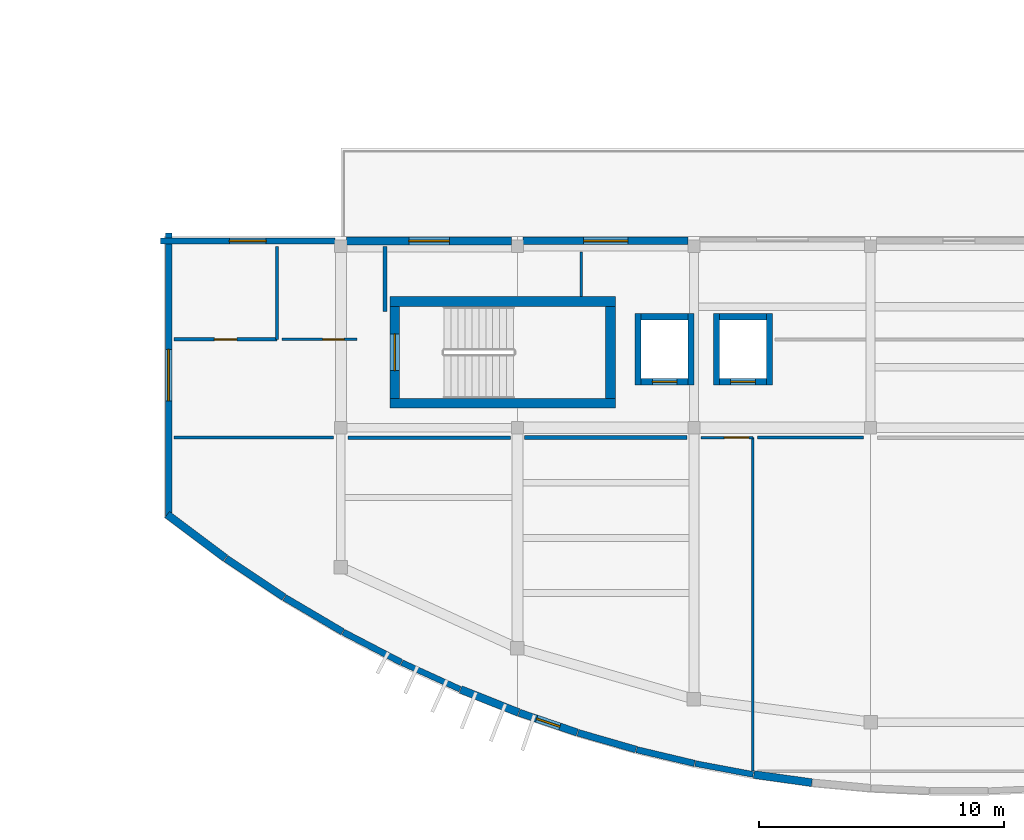
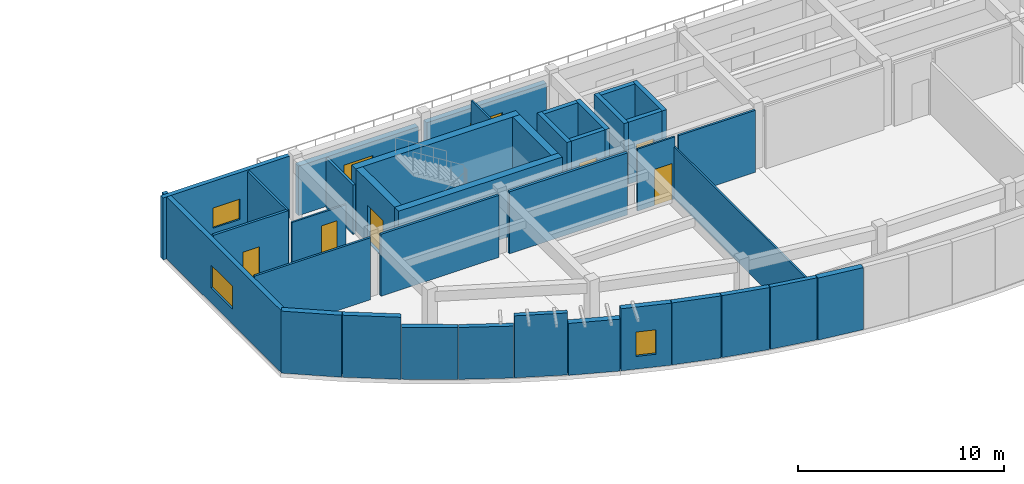
# One storey, part 4 of 11: 38 walls, 6 doors, 5 windows, 11 openings.
"""IFC4 building model written with IfcOpenShell, lengths in metres."""

from ifc_helpers import new_model, si_unit, direction, frame, frame_2d, origin, place, context, subcontext, project, spatial, rectangle, extrude, material, layer, layer_set, type_object, element, fill, save


model = new_model("IFC4")

# Units and contexts
model_context = context("Model", 3, precision=1e-05, world=origin(), true_north=direction((0.0, 1.0)))
body_context = subcontext(model_context, "Body", "Model", "MODEL_VIEW")
ifc_project = project(units=[si_unit("LENGTHUNIT", "METRE"), si_unit("AREAUNIT", "SQUARE_METRE"), si_unit("VOLUMEUNIT", "CUBIC_METRE"), si_unit("PLANEANGLEUNIT", "RADIAN"), si_unit("MASSUNIT", "GRAM", prefix="KILO")], contexts=[model_context])

# Site, building, storey
site_placement = place(None, origin())
site = spatial("IfcSite", under=ifc_project, at=site_placement, CompositionType="ELEMENT")
building_placement = place(site_placement, origin())
building = spatial("IfcBuilding", under=site, at=building_placement, Name="Brisavento Harbour Community Centre", CompositionType="ELEMENT")
storey_placement = place(building_placement, frame((0.0, 0.0, 16.800048828125)))
storey = spatial("IfcBuildingStorey", under=building, at=storey_placement, Name="L04", CompositionType="ELEMENT", Elevation=16.800048828125)

# Walls
ifc_material_1 = material(Name="Concrete C40/50", Category="concrete")
ifc_layer_1 = layer(ifc_material_1, 0.39990234375, Name="Concrete C40/50")
ifc_layer_set_1 = layer_set([ifc_layer_1], Name="Concrete C40/50")
wall_type_1 = type_object("IfcWallType", Name="WL-CORE-400", PredefinedType="SHEAR", material=ifc_layer_set_1)
for number, where, z_axis, x_axis, name in (
    (1, (117.199951171875, 16.0, 0.0), (0.0, 0.0, 1.0), (1.0, 0.0, 0.0), "L04 core C3A shear wall L"),
    (2, (126.39990234375, 20.14990234375, 0.0), (0.0, 0.0, 1.0), (-1.0, 0.0, 0.0), "L04 core C3A shear wall R"),
):
    element("IfcWall", number, at=place(storey_placement, frame(where, z_axis=z_axis, x_axis=x_axis)), inside=storey, type_object=wall_type_1, Name=name, PredefinedType="SHEAR", context=body_context, shape_type="SweptSolid", body=[
        extrude(rectangle(XDim=9.199951171875, YDim=0.39990234375, at=frame_2d((4.60009765625, 0.0))), origin(), (0.0, 0.0, 1.0), 3.679931640625),
    ])
wall_1_placement = place(storey_placement, frame((126.199951171875, 16.199951171875, 0.0), z_axis=(0.0, 0.0, 1.0), x_axis=(0.0, 1.0, 0.0)))
element("IfcWall", 3, at=wall_1_placement, inside=storey, type_object=wall_type_1, Name="L04 core C3A shear wall F", PredefinedType="SHEAR", context=body_context, shape_type="SweptSolid", body=[
    extrude(rectangle(XDim=3.75, YDim=0.39990234375, at=frame_2d((1.875, 0.0))), origin(), (0.0, 0.0, 1.0), 3.679931640625),
])

# Wall, opening, door
wall_2_placement = place(storey_placement, frame((117.39990234375, 19.949951171875, 0.0), z_axis=(0.0, 0.0, 1.0), x_axis=(0.0, -1.0, 0.0)))
wall_2 = element("IfcWall", 4, at=wall_2_placement, inside=storey, type_object=wall_type_1, Name="L04 core C3A shear wall N", PredefinedType="SHEAR", context=body_context, shape_type="SweptSolid", body=[
    extrude(rectangle(XDim=3.75, YDim=0.39990234375, at=frame_2d((1.875, 0.0))), origin(), (0.0, 0.0, 1.0), 3.679931640625),
])
opening_1_placement = place(wall_2_placement, frame((1.125, 0.0, 0.0)))
opening_1 = element("IfcOpeningElement", 5, at=opening_1_placement, cuts=wall_2, Name="Opening SD-01", PredefinedType="OPENING", context=body_context, shape_type="SweptSolid", body=[
    extrude(rectangle(XDim=1.5, YDim=2.199951171875, at=frame_2d((0.75, 1.10009765625))), frame((0.0, 0.2099609375, 0.0), z_axis=(0.0, -1.0, 0.0), x_axis=(1.0, 0.0, 0.0)), (0.0, 0.0, 1.0), 0.419921875),
])
ifc_material_2 = material(Name="Fire-rated steel door assembly", Category="steel")
door_type_1 = type_object("IfcDoorType", Name="DR-STAIR-150x220", OperationType="NOTDEFINED", PredefinedType="DOOR", material=ifc_material_2)
door_1_placement = place(opening_1_placement, origin())
door_1 = element("IfcDoor", 6, at=door_1_placement, inside=storey, type_object=door_type_1, Name="L04 exit stair ST-04 fire door", OperationType="SINGLE_SWING_RIGHT", OverallHeight=2.199951171875, OverallWidth=1.5, PredefinedType="DOOR", context=body_context, shape_type="SweptSolid", body=[
    extrude(rectangle(XDim=1.5, YDim=2.199951171875, at=frame_2d((0.75, 1.10009765625))), frame((0.0, 0.02490234375, 0.0), z_axis=(0.0, -1.0, 0.0), x_axis=(1.0, 0.0, 0.0)), (0.0, 0.0, 1.0), 0.050048828125),
])
fill(opening_1, door_1)

# Walls
ifc_material_3 = material(Name="Terracotta masonry unit", Category="masonry")
ifc_layer_2 = layer(ifc_material_3, 0.239990234375, Name="Terracotta masonry unit")
ifc_layer_set_2 = layer_set([ifc_layer_2], Name="Terracotta masonry unit")
wall_type_2 = type_object("IfcWallType", Name="WL-EXT-240", PredefinedType="SOLIDWALL", material=ifc_layer_set_2)
wall_3_placement = place(storey_placement, frame((120.058349609375, 4.33984375, 0.0), z_axis=(0.0, 0.0, 1.0), x_axis=(-0.90959706885, 0.415491482873, 0.0)))
element("IfcWall", 7, at=wall_3_placement, inside=storey, type_object=wall_type_2, Name="L04 V3 exterior wall 0308", PredefinedType="SOLIDWALL", context=body_context, shape_type="SweptSolid", body=[
    extrude(rectangle(XDim=2.6025390625, YDim=0.239990234375, at=frame_2d((1.30126953125, 0.0))), origin(), (0.0, 0.0, 1.0), 3.679931640625),
])
wall_4_placement = place(storey_placement, frame((132.015380859375, 0.86328125, 0.0), z_axis=(0.0, 0.0, 1.0), x_axis=(-0.982797435053, 0.184686766319, 0.0)))
element("IfcWall", 8, at=wall_4_placement, inside=storey, type_object=wall_type_2, Name="L04 V3 exterior wall 0313", PredefinedType="SOLIDWALL", context=body_context, shape_type="SweptSolid", body=[
    extrude(rectangle(XDim=2.406005859375, YDim=0.239990234375, at=frame_2d((1.203125, 0.0))), origin(), (0.0, 0.0, 1.0), 3.679931640625),
])

# Wall, opening, window
wall_5_placement = place(storey_placement, frame((107.85009765625, 22.6201171875, 0.0), z_axis=(0.0, 0.0, 1.0), x_axis=(1.0, 0.0, 0.0)))
wall_5 = element("IfcWall", 9, at=wall_5_placement, inside=storey, type_object=wall_type_2, Name="L04 V3 exterior wall 0333", PredefinedType="SOLIDWALL", context=body_context, shape_type="SweptSolid", body=[
    extrude(rectangle(XDim=7.114990234375, YDim=0.239990234375, at=frame_2d((3.5576171875, 0.0))), origin(), (0.0, 0.0, 1.0), 3.679931640625),
])
opening_2_placement = place(wall_5_placement, frame((2.8076171875, 0.0, 0.89990234375)))
opening_2 = element("IfcOpeningElement", 10, at=opening_2_placement, cuts=wall_5, Name="Opening W-05", PredefinedType="OPENING", context=body_context, shape_type="SweptSolid", body=[
    extrude(rectangle(XDim=1.5, YDim=1.199951171875, at=frame_2d((0.75, 0.60009765625))), frame((0.0, 0.1298828125, 0.0), z_axis=(0.0, -1.0, 0.0), x_axis=(1.0, 0.0, 0.0)), (0.0, 0.0, 1.0), 0.260009765625),
])
ifc_material_4 = material(Name="Solar-control laminated low-E glass", Category="glass")
window_type_1 = type_object("IfcWindowType", Name="WIN-CAS-05", PartitioningType="SINGLE_PANEL", PredefinedType="WINDOW", material=ifc_material_4)
window_1_placement = place(opening_2_placement, origin())
window_1 = element("IfcWindow", 11, at=window_1_placement, inside=storey, type_object=window_type_1, Name="L04 V3 impact casement window 0185", OverallHeight=1.199951171875, OverallWidth=1.5, PartitioningType="SINGLE_PANEL", PredefinedType="WINDOW", context=body_context, shape_type="SweptSolid", body=[
    extrude(rectangle(XDim=1.5, YDim=1.199951171875, at=frame_2d((0.75, 0.60009765625))), frame((0.0, 0.030029296875, 0.0), z_axis=(0.0, -1.0, 0.0), x_axis=(1.0, 0.0, 0.0)), (0.0, 0.0, 1.0), 0.06005859375),
])
fill(opening_2, window_1)

# Walls
ifc_layer_3 = layer(ifc_material_3, 0.260009765625, Name="Terracotta masonry unit")
ifc_layer_set_3 = layer_set([ifc_layer_3], Name="Terracotta masonry unit")
wall_type_3 = type_object("IfcWallType", Name="WL-EXT-260", PredefinedType="SOLIDWALL", material=ifc_layer_set_3)
wall_6_placement = place(storey_placement, frame((117.6669921875, 5.43310546875, 0.0), z_axis=(0.0, 0.0, 1.0), x_axis=(-0.887047533432, 0.461678105863, 0.0)))
element("IfcWall", 12, at=wall_6_placement, inside=storey, type_object=wall_type_3, Name="L04 V3 exterior wall 0307", PredefinedType="SOLIDWALL", context=body_context, shape_type="SweptSolid", body=[
    extrude(rectangle(XDim=2.66943359375, YDim=0.260009765625, at=frame_2d((1.334716796875, 0.0))), origin(), (0.0, 0.0, 1.0), 3.079833984375),
])
wall_7_placement = place(storey_placement, frame((129.6240234375, 1.313232421875, 0.0), z_axis=(0.0, 0.0, 1.0), x_axis=(-0.972996641293, 0.230819271363, 0.0)))
element("IfcWall", 13, at=wall_7_placement, inside=storey, type_object=wall_type_3, Name="L04 V3 exterior wall 0312", PredefinedType="SOLIDWALL", context=body_context, shape_type="SweptSolid", body=[
    extrude(rectangle(XDim=2.4306640625, YDim=0.260009765625, at=frame_2d((1.21533203125, 0.0))), origin(), (0.0, 0.0, 1.0), 3.679931640625),
])

# Wall, opening, window
wall_8_placement = place(storey_placement, frame((108.179931640625, 11.345703125, 0.0), z_axis=(0.0, 0.0, 1.0), x_axis=(0.0, 1.0, 0.0)))
wall_8 = element("IfcWall", 14, at=wall_8_placement, inside=storey, type_object=wall_type_3, Name="L04 V3 exterior wall 0342", PredefinedType="SOLIDWALL", context=body_context, shape_type="SweptSolid", body=[
    extrude(rectangle(XDim=11.604248046875, YDim=0.260009765625, at=frame_2d((5.80224609375, 0.0))), origin(), (0.0, 0.0, 1.0), 3.679931640625),
])
opening_3_placement = place(wall_8_placement, frame((4.752197265625, 0.0, 0.89990234375)))
opening_3 = element("IfcOpeningElement", 15, at=opening_3_placement, cuts=wall_8, Name="Opening W-12", PredefinedType="OPENING", context=body_context, shape_type="SweptSolid", body=[
    extrude(rectangle(XDim=2.10009765625, YDim=1.35009765625, at=frame_2d((1.050048828125, 0.675048828125))), frame((0.0, 0.14013671875, 0.0), z_axis=(0.0, -1.0, 0.0), x_axis=(1.0, 0.0, 0.0)), (0.0, 0.0, 1.0), 0.280029296875),
])
window_type_2 = type_object("IfcWindowType", Name="WIN-CAS-12", PartitioningType="SINGLE_PANEL", PredefinedType="WINDOW", material=ifc_material_4)
window_2_placement = place(opening_3_placement, origin())
window_2 = element("IfcWindow", 16, at=window_2_placement, inside=storey, type_object=window_type_2, Name="L04 V3 impact casement window 0192", OverallHeight=1.35009765625, OverallWidth=2.10009765625, PartitioningType="SINGLE_PANEL", PredefinedType="WINDOW", context=body_context, shape_type="SweptSolid", body=[
    extrude(rectangle(XDim=2.10009765625, YDim=1.35009765625, at=frame_2d((1.050048828125, 0.675048828125))), frame((0.0, 0.030029296875, 0.0), z_axis=(0.0, -1.0, 0.0), x_axis=(1.0, 0.0, 0.0)), (0.0, 0.0, 1.0), 0.06005859375),
])
fill(opening_3, window_2)

# Walls
ifc_material_5 = material(Name="Precast concrete C40/50", Category="concrete")
ifc_layer_4 = layer(ifc_material_5, 0.280029296875, Name="Precast concrete C40/50")
ifc_layer_set_4 = layer_set([ifc_layer_4], Name="Precast concrete C40/50")
wall_type_4 = type_object("IfcWallType", Name="WL-EXT-280", PredefinedType="SOLIDWALL", material=ifc_layer_set_4)
wall_9_placement = place(storey_placement, frame((115.27587890625, 6.678466796875, 0.0), z_axis=(0.0, 0.0, 1.0), x_axis=(-0.861415701697, 0.507900569866, 0.0)))
element("IfcWall", 17, at=wall_9_placement, inside=storey, type_object=wall_type_4, Name="L04 V3 exterior wall 0306", PredefinedType="SOLIDWALL", context=body_context, shape_type="SweptSolid", body=[
    extrude(rectangle(XDim=2.75, YDim=0.280029296875, at=frame_2d((1.375, 0.0))), origin(), (0.0, 0.0, 1.0), 3.079833984375),
])
wall_10_placement = place(storey_placement, frame((127.232666015625, 1.881103515625, 0.0), z_axis=(0.0, 0.0, 1.0), x_axis=(-0.960873855282, 0.276986343049, 0.0)))
element("IfcWall", 18, at=wall_10_placement, inside=storey, type_object=wall_type_4, Name="L04 V3 exterior wall 0311", PredefinedType="SOLIDWALL", context=body_context, shape_type="SweptSolid", body=[
    extrude(rectangle(XDim=2.4619140625, YDim=0.280029296875, at=frame_2d((1.23095703125, 0.0))), origin(), (0.0, 0.0, 1.0), 3.679931640625),
])
ifc_material_6 = material(Name="Concrete C35/45", Category="concrete")
ifc_layer_5 = layer(ifc_material_6, 0.300048828125, Name="Concrete C35/45")
ifc_layer_set_5 = layer_set([ifc_layer_5], Name="Concrete C35/45")
wall_type_5 = type_object("IfcWallType", Name="WL-EXT-300", PredefinedType="SOLIDWALL", material=ifc_layer_set_5)
wall_11_placement = place(storey_placement, frame((112.884765625, 8.089111328125, 0.0), z_axis=(0.0, 0.0, 1.0), x_axis=(-0.83248539698, 0.55404698701, 0.0)))
element("IfcWall", 19, at=wall_11_placement, inside=storey, type_object=wall_type_5, Name="L04 V3 exterior wall 0305", PredefinedType="SOLIDWALL", context=body_context, shape_type="SweptSolid", body=[
    extrude(rectangle(XDim=2.846923828125, YDim=0.300048828125, at=frame_2d((1.42333984375, 0.0))), origin(), (0.0, 0.0, 1.0), 3.679931640625),
])

# Wall, opening, window
wall_12_placement = place(storey_placement, frame((124.84130859375, 2.5712890625, 0.0), z_axis=(0.0, 0.0, 1.0), x_axis=(-0.94633383288, 0.323190774539, 0.0)))
wall_12 = element("IfcWall", 20, at=wall_12_placement, inside=storey, type_object=wall_type_5, Name="L04 V3 exterior wall 0310", PredefinedType="SOLIDWALL", context=body_context, shape_type="SweptSolid", body=[
    extrude(rectangle(XDim=2.50048828125, YDim=0.300048828125, at=frame_2d((1.250244140625, 0.0))), origin(), (0.0, 0.0, 1.0), 3.679931640625),
])
opening_4_placement = place(wall_12_placement, frame((0.75, 0.0, 0.75)))
opening_4 = element("IfcOpeningElement", 21, at=opening_4_placement, cuts=wall_12, Name="Opening W-29", PredefinedType="OPENING", context=body_context, shape_type="SweptSolid", body=[
    extrude(rectangle(XDim=1.0, YDim=1.449951171875, at=frame_2d((0.5, 0.72509765625))), frame((0.0, 0.16015625, 0.0), z_axis=(0.0, -1.0, 0.0), x_axis=(1.0, 0.0, 0.0)), (0.0, 0.0, 1.0), 0.320068359375),
])
window_type_3 = type_object("IfcWindowType", Name="WIN-CAS-29", PartitioningType="SINGLE_PANEL", PredefinedType="WINDOW", material=ifc_material_4)
window_3_placement = place(opening_4_placement, origin())
window_3 = element("IfcWindow", 22, at=window_3_placement, inside=storey, type_object=window_type_3, Name="L04 V3 impact casement window 0173", OverallHeight=1.449951171875, OverallWidth=1.0, PartitioningType="SINGLE_PANEL", PredefinedType="WINDOW", context=body_context, shape_type="SweptSolid", body=[
    extrude(rectangle(XDim=1.0, YDim=1.449951171875, at=frame_2d((0.5, 0.72509765625))), frame((0.0, 0.030029296875, 0.0), z_axis=(0.0, -1.0, 0.0), x_axis=(1.0, 0.0, 0.0)), (0.0, 0.0, 1.0), 0.06005859375),
])
fill(opening_4, window_3)

wall_13_placement = place(storey_placement, frame((122.635009765625, 22.6201171875, 0.0), z_axis=(0.0, 0.0, 1.0), x_axis=(1.0, 0.0, 0.0)))
wall_13 = element("IfcWall", 23, at=wall_13_placement, inside=storey, type_object=wall_type_5, Name="L04 V3 exterior wall 0335", PredefinedType="SOLIDWALL", context=body_context, shape_type="SweptSolid", body=[
    extrude(rectangle(XDim=6.72998046875, YDim=0.300048828125, at=frame_2d((3.364990234375, 0.0))), origin(), (0.0, 0.0, 1.0), 2.97998046875),
])
opening_5_placement = place(wall_13_placement, frame((2.465087890625, 0.0, 0.89990234375)))
opening_5 = element("IfcOpeningElement", 24, at=opening_5_placement, cuts=wall_13, Name="Opening W-07", PredefinedType="OPENING", context=body_context, shape_type="SweptSolid", body=[
    extrude(rectangle(XDim=1.800048828125, YDim=1.199951171875, at=frame_2d((0.89990234375, 0.60009765625))), frame((0.0, 0.16015625, 0.0), z_axis=(0.0, -1.0, 0.0), x_axis=(1.0, 0.0, 0.0)), (0.0, 0.0, 1.0), 0.320068359375),
])
window_type_4 = type_object("IfcWindowType", Name="WIN-CAS-07", PartitioningType="SINGLE_PANEL", PredefinedType="WINDOW", material=ifc_material_4)
window_4_placement = place(opening_5_placement, origin())
window_4 = element("IfcWindow", 25, at=window_4_placement, inside=storey, type_object=window_type_4, Name="L04 V3 impact casement window 0187", OverallHeight=1.199951171875, OverallWidth=1.800048828125, PartitioningType="SINGLE_PANEL", PredefinedType="WINDOW", context=body_context, shape_type="SweptSolid", body=[
    extrude(rectangle(XDim=1.800048828125, YDim=1.199951171875, at=frame_2d((0.89990234375, 0.60009765625))), frame((0.0, 0.030029296875, 0.0), z_axis=(0.0, -1.0, 0.0), x_axis=(1.0, 0.0, 0.0)), (0.0, 0.0, 1.0), 0.06005859375),
])
fill(opening_5, window_4)

# Walls
ifc_layer_6 = layer(ifc_material_6, 0.320068359375, Name="Concrete C35/45")
ifc_layer_set_6 = layer_set([ifc_layer_6], Name="Concrete C35/45")
wall_type_6 = type_object("IfcWallType", Name="WL-EXT-320", PredefinedType="SOLIDWALL", material=ifc_layer_set_6)
wall_14_placement = place(storey_placement, frame((110.49365234375, 9.681396484375, 0.0), z_axis=(0.0, 0.0, 1.0), x_axis=(-0.799831981695, 0.600223959083, 0.0)))
element("IfcWall", 26, at=wall_14_placement, inside=storey, type_object=wall_type_6, Name="L04 V3 exterior wall 0304", PredefinedType="SOLIDWALL", context=body_context, shape_type="SweptSolid", body=[
    extrude(rectangle(XDim=2.96484375, YDim=0.320068359375, at=frame_2d((1.482421875, 0.0))), origin(), (0.0, 0.0, 1.0), 3.679931640625),
])
wall_15_placement = place(storey_placement, frame((122.44970703125, 3.388671875, 0.0), z_axis=(0.0, 0.0, 1.0), x_axis=(-0.929274561032, 0.369389753808, 0.0)))
element("IfcWall", 27, at=wall_15_placement, inside=storey, type_object=wall_type_6, Name="L04 V3 exterior wall 0309", PredefinedType="SOLIDWALL", context=body_context, shape_type="SweptSolid", body=[
    extrude(rectangle(XDim=2.546630859375, YDim=0.320068359375, at=frame_2d((1.2734375, 0.0))), origin(), (0.0, 0.0, 1.0), 3.079833984375),
])
wall_16_placement = place(storey_placement, frame((134.406982421875, 0.528076171875, 0.0), z_axis=(0.0, 0.0, 1.0), x_axis=(-0.990366445451, 0.138471310114, 0.0)))
element("IfcWall", 28, at=wall_16_placement, inside=storey, type_object=wall_type_6, Name="L04 V3 exterior wall 0314", PredefinedType="SOLIDWALL", context=body_context, shape_type="SweptSolid", body=[
    extrude(rectangle(XDim=2.38720703125, YDim=0.320068359375, at=frame_2d((1.193603515625, 0.0))), origin(), (0.0, 0.0, 1.0), 3.679931640625),
])

# Wall, opening, window
wall_17_placement = place(storey_placement, frame((115.43505859375, 22.6201171875, 0.0), z_axis=(0.0, 0.0, 1.0), x_axis=(1.0, 0.0, 0.0)))
wall_17 = element("IfcWall", 29, at=wall_17_placement, inside=storey, type_object=wall_type_6, Name="L04 V3 exterior wall 0334", PredefinedType="SOLIDWALL", context=body_context, shape_type="SweptSolid", body=[
    extrude(rectangle(XDim=6.72998046875, YDim=0.320068359375, at=frame_2d((3.364990234375, 0.0))), origin(), (0.0, 0.0, 1.0), 2.929931640625),
])
opening_6_placement = place(wall_17_placement, frame((2.5400390625, 0.0, 0.89990234375)))
opening_6 = element("IfcOpeningElement", 30, at=opening_6_placement, cuts=wall_17, Name="Opening W-06", PredefinedType="OPENING", context=body_context, shape_type="SweptSolid", body=[
    extrude(rectangle(XDim=1.64990234375, YDim=1.199951171875, at=frame_2d((0.824951171875, 0.60009765625))), frame((0.0, 0.169921875, 0.0), z_axis=(0.0, -1.0, 0.0), x_axis=(1.0, 0.0, 0.0)), (0.0, 0.0, 1.0), 0.340087890625),
])
window_type_5 = type_object("IfcWindowType", Name="WIN-CAS-06", PartitioningType="SINGLE_PANEL", PredefinedType="WINDOW", material=ifc_material_4)
window_5_placement = place(opening_6_placement, origin())
window_5 = element("IfcWindow", 31, at=window_5_placement, inside=storey, type_object=window_type_5, Name="L04 V3 impact casement window 0186", OverallHeight=1.199951171875, OverallWidth=1.64990234375, PartitioningType="SINGLE_PANEL", PredefinedType="WINDOW", context=body_context, shape_type="SweptSolid", body=[
    extrude(rectangle(XDim=1.64990234375, YDim=1.199951171875, at=frame_2d((0.824951171875, 0.60009765625))), frame((0.0, 0.030029296875, 0.0), z_axis=(0.0, -1.0, 0.0), x_axis=(1.0, 0.0, 0.0)), (0.0, 0.0, 1.0), 0.06005859375),
])
fill(opening_6, window_5)

# Wall, opening, door
ifc_material_7 = material(Name="Lightweight stud partition", Category="other")
ifc_layer_7 = layer(ifc_material_7, 0.10009765625, Name="Lightweight stud partition")
ifc_layer_set_7 = layer_set([ifc_layer_7], Name="Lightweight stud partition")
wall_type_7 = type_object("IfcWallType", Name="WL-PRT-100", PredefinedType="PARTITIONING", material=ifc_layer_set_7)
wall_18_placement = place(storey_placement, frame((132.0, 14.60009765625, 0.0), z_axis=(0.0, 0.0, 1.0), x_axis=(-1.0, 0.0, 0.0)))
wall_18 = element("IfcWall", 32, at=wall_18_placement, inside=storey, type_object=wall_type_7, Name="L04 Periodicals Reading Room partition 0279", PredefinedType="PARTITIONING", context=body_context, shape_type="SweptSolid", body=[
    extrude(rectangle(XDim=2.110107421875, YDim=0.10009765625, at=frame_2d((1.05517578125, 0.0))), origin(), (0.0, 0.0, 1.0), 3.679931640625),
])
opening_7_placement = place(wall_18_placement, frame((0.159912109375, 0.0, 0.0)))
opening_7 = element("IfcOpeningElement", 33, at=opening_7_placement, cuts=wall_18, Name="Opening ID-09", PredefinedType="OPENING", context=body_context, shape_type="SweptSolid", body=[
    extrude(rectangle(XDim=1.0, YDim=2.14990234375, at=frame_2d((0.5, 1.074951171875))), frame((0.0, 0.06005859375, 0.0), z_axis=(0.0, -1.0, 0.0), x_axis=(1.0, 0.0, 0.0)), (0.0, 0.0, 1.0), 0.1201171875),
])
ifc_material_8 = material(Name="Solid-core tropical timber door", Category="wood")
door_type_2 = type_object("IfcDoorType", Name="DR-INT-100x215", OperationType="NOTDEFINED", PredefinedType="DOOR", material=ifc_material_8)
door_2_placement = place(opening_7_placement, origin())
door_2 = element("IfcDoor", 34, at=door_2_placement, inside=storey, type_object=door_type_2, Name="L04 Periodicals Reading Room door 0108", OperationType="SINGLE_SWING_LEFT", OverallHeight=2.14990234375, OverallWidth=1.0, PredefinedType="DOOR", context=body_context, shape_type="SweptSolid", body=[
    extrude(rectangle(XDim=1.0, YDim=2.14990234375, at=frame_2d((0.5, 1.074951171875))), frame((0.0, 0.02490234375, 0.0), z_axis=(0.0, -1.0, 0.0), x_axis=(1.0, 0.0, 0.0)), (0.0, 0.0, 1.0), 0.050048828125),
])
fill(opening_7, door_2)

# Walls
wall_19_placement = place(storey_placement, frame((132.0, 1.0, 0.0), z_axis=(0.0, 0.0, 1.0), x_axis=(0.0, 1.0, 0.0)))
element("IfcWall", 35, at=wall_19_placement, inside=storey, type_object=wall_type_7, Name="L04 Periodicals Reading Room partition 0283", PredefinedType="PARTITIONING", context=body_context, shape_type="SweptSolid", body=[
    extrude(rectangle(XDim=13.60009765625, YDim=0.10009765625, at=frame_2d((6.800048828125, 0.0))), origin(), (0.0, 0.0, 1.0), 3.079833984375),
])
wall_20_placement = place(storey_placement, frame((125.0, 22.169921875, 0.0), z_axis=(0.0, 0.0, 1.0), x_axis=(0.0, -1.0, 0.0)))
element("IfcWall", 36, at=wall_20_placement, inside=storey, type_object=wall_type_7, Name="L04 Terrace Reading Lounge L04 partition 0295", PredefinedType="PARTITIONING", context=body_context, shape_type="SweptSolid", body=[
    extrude(rectangle(XDim=1.809814453125, YDim=0.10009765625, at=frame_2d((0.90478515625, 0.0))), origin(), (0.0, 0.0, 1.0), 3.679931640625),
])

# Wall, opening, door
wall_21_placement = place(storey_placement, frame((112.800048828125, 18.60009765625, 0.0), z_axis=(0.0, 0.0, 1.0), x_axis=(1.0, 0.0, 0.0)))
wall_21 = element("IfcWall", 37, at=wall_21_placement, inside=storey, type_object=wall_type_7, Name="L04 Female WC L04 partition 0299", PredefinedType="PARTITIONING", context=body_context, shape_type="SweptSolid", body=[
    extrude(rectangle(XDim=3.050048828125, YDim=0.10009765625, at=frame_2d((1.52490234375, 0.0))), origin(), (0.0, 0.0, 1.0), 2.8798828125),
])
opening_8_placement = place(wall_21_placement, frame((1.659912109375, 0.0, 0.0)))
opening_8 = element("IfcOpeningElement", 38, at=opening_8_placement, cuts=wall_21, Name="Opening WD-02", PredefinedType="OPENING", context=body_context, shape_type="SweptSolid", body=[
    extrude(rectangle(XDim=0.8798828125, YDim=2.10009765625, at=frame_2d((0.43994140625, 1.050048828125))), frame((0.0, 0.06005859375, 0.0), z_axis=(0.0, -1.0, 0.0), x_axis=(1.0, 0.0, 0.0)), (0.0, 0.0, 1.0), 0.1201171875),
])
ifc_material_9 = material(Name="Moisture-resistant laminate door", Category="other")
door_type_3 = type_object("IfcDoorType", Name="DR-WC-088x210", OperationType="NOTDEFINED", PredefinedType="DOOR", material=ifc_material_9)
door_3_placement = place(opening_8_placement, origin())
door_3 = element("IfcDoor", 39, at=door_3_placement, inside=storey, type_object=door_type_3, Name="L04 Female WC L04 door 0114", OperationType="SINGLE_SWING_LEFT", OverallHeight=2.10009765625, OverallWidth=0.8798828125, PredefinedType="DOOR", context=body_context, shape_type="SweptSolid", body=[
    extrude(rectangle(XDim=0.8798828125, YDim=2.10009765625, at=frame_2d((0.43994140625, 1.050048828125))), frame((0.0, 0.02490234375, 0.0), z_axis=(0.0, -1.0, 0.0), x_axis=(1.0, 0.0, 0.0)), (0.0, 0.0, 1.0), 0.050048828125),
])
fill(opening_8, door_3)

# Walls
ifc_material_10 = material(Name="Gypsum metal-stud partition", Category="other")
ifc_layer_8 = layer(ifc_material_10, 0.1201171875, Name="Gypsum metal-stud partition")
ifc_layer_set_8 = layer_set([ifc_layer_8], Name="Gypsum metal-stud partition")
wall_type_8 = type_object("IfcWallType", Name="WL-PRT-120", PredefinedType="PARTITIONING", material=ifc_layer_set_8)
wall_22_placement = place(storey_placement, frame((114.909912109375, 14.60009765625, 0.0), z_axis=(0.0, 0.0, 1.0), x_axis=(-1.0, 0.0, 0.0)))
element("IfcWall", 40, at=wall_22_placement, inside=storey, type_object=wall_type_8, Name="L04 Periodicals Reading Room partition 0282", PredefinedType="PARTITIONING", context=body_context, shape_type="SweptSolid", body=[
    extrude(rectangle(XDim=6.510009765625, YDim=0.1201171875, at=frame_2d((3.2548828125, 0.0))), origin(), (0.0, 0.0, 1.0), 3.679931640625),
])
wall_23_placement = place(storey_placement, frame((136.510009765625, 14.60009765625, 0.0), z_axis=(0.0, 0.0, 1.0), x_axis=(-1.0, 0.0, 0.0)))
element("IfcWall", 41, at=wall_23_placement, inside=storey, type_object=wall_type_8, Name="L04 Language Classroom 401 partition 0286", PredefinedType="PARTITIONING", context=body_context, shape_type="SweptSolid", body=[
    extrude(rectangle(XDim=4.31005859375, YDim=0.1201171875, at=frame_2d((2.155029296875, 0.0))), origin(), (0.0, 0.0, 1.0), 3.679931640625),
])
wall_24_placement = place(storey_placement, frame((112.60009765625, 18.60009765625, 0.0), z_axis=(0.0, 0.0, 1.0), x_axis=(0.0, 1.0, 0.0)))
element("IfcWall", 42, at=wall_24_placement, inside=storey, type_object=wall_type_8, Name="L04 Male WC L04 partition 0298", PredefinedType="PARTITIONING", context=body_context, shape_type="SweptSolid", body=[
    extrude(rectangle(XDim=3.7998046875, YDim=0.1201171875, at=frame_2d((1.89990234375, 0.0))), origin(), (0.0, 0.0, 1.0), 3.679931640625),
])
ifc_layer_9 = layer(ifc_material_10, 0.139892578125, Name="Gypsum metal-stud partition")
ifc_layer_set_9 = layer_set([ifc_layer_9], Name="Gypsum metal-stud partition")
wall_type_9 = type_object("IfcWallType", Name="WL-PRT-140", PredefinedType="PARTITIONING", material=ifc_layer_set_9)
wall_25_placement = place(storey_placement, frame((122.110107421875, 14.60009765625, 0.0), z_axis=(0.0, 0.0, 1.0), x_axis=(-1.0, 0.0, 0.0)))
element("IfcWall", 43, at=wall_25_placement, inside=storey, type_object=wall_type_9, Name="L04 Periodicals Reading Room partition 0281", PredefinedType="PARTITIONING", context=body_context, shape_type="SweptSolid", body=[
    extrude(rectangle(XDim=6.6201171875, YDim=0.139892578125, at=frame_2d((3.31005859375, 0.0))), origin(), (0.0, 0.0, 1.0), 3.679931640625),
])

# Wall, opening, door
wall_26_placement = place(storey_placement, frame((108.39990234375, 18.60009765625, 0.0), z_axis=(0.0, 0.0, 1.0), x_axis=(1.0, 0.0, 0.0)))
wall_26 = element("IfcWall", 44, at=wall_26_placement, inside=storey, type_object=wall_type_9, Name="L04 Male WC L04 partition 0297", PredefinedType="PARTITIONING", context=body_context, shape_type="SweptSolid", body=[
    extrude(rectangle(XDim=4.2001953125, YDim=0.139892578125, at=frame_2d((2.10009765625, 0.0))), origin(), (0.0, 0.0, 1.0), 3.679931640625),
])
opening_9_placement = place(wall_26_placement, frame((1.639892578125, 0.0, 0.0)))
opening_9 = element("IfcOpeningElement", 45, at=opening_9_placement, cuts=wall_26, Name="Opening WD-01", PredefinedType="OPENING", context=body_context, shape_type="SweptSolid", body=[
    extrude(rectangle(XDim=0.919921875, YDim=2.10009765625, at=frame_2d((0.4599609375, 1.050048828125))), frame((0.0, 0.080078125, 0.0), z_axis=(0.0, -1.0, 0.0), x_axis=(1.0, 0.0, 0.0)), (0.0, 0.0, 1.0), 0.159912109375),
])
door_type_4 = type_object("IfcDoorType", Name="DR-WC-092x210", OperationType="NOTDEFINED", PredefinedType="DOOR", material=ifc_material_9)
door_4_placement = place(opening_9_placement, origin())
door_4 = element("IfcDoor", 46, at=door_4_placement, inside=storey, type_object=door_type_4, Name="L04 Male WC L04 door 0113", OperationType="SINGLE_SWING_RIGHT", OverallHeight=2.10009765625, OverallWidth=0.919921875, PredefinedType="DOOR", context=body_context, shape_type="SweptSolid", body=[
    extrude(rectangle(XDim=0.919921875, YDim=2.10009765625, at=frame_2d((0.4599609375, 1.050048828125))), frame((0.0, 0.02490234375, 0.0), z_axis=(0.0, -1.0, 0.0), x_axis=(1.0, 0.0, 0.0)), (0.0, 0.0, 1.0), 0.050048828125),
])
fill(opening_9, door_4)

# Walls
ifc_material_11 = material(Name="Moisture-resistant stud partition", Category="other")
ifc_layer_10 = layer(ifc_material_11, 0.14990234375, Name="Moisture-resistant stud partition")
ifc_layer_set_10 = layer_set([ifc_layer_10], Name="Moisture-resistant stud partition")
wall_type_10 = type_object("IfcWallType", Name="WL-PRT-150", PredefinedType="PARTITIONING", material=ifc_layer_set_10)
wall_27_placement = place(storey_placement, frame((129.31005859375, 14.60009765625, 0.0), z_axis=(0.0, 0.0, 1.0), x_axis=(-1.0, 0.0, 0.0)))
element("IfcWall", 47, at=wall_27_placement, inside=storey, type_object=wall_type_10, Name="L04 Periodicals Reading Room partition 0280", PredefinedType="PARTITIONING", context=body_context, shape_type="SweptSolid", body=[
    extrude(rectangle(XDim=6.6201171875, YDim=0.14990234375, at=frame_2d((3.31005859375, 0.0))), origin(), (0.0, 0.0, 1.0), 3.679931640625),
])
wall_28_placement = place(storey_placement, frame((117.0, 19.75, 0.0), z_axis=(0.0, 0.0, 1.0), x_axis=(0.0, 1.0, 0.0)))
element("IfcWall", 48, at=wall_28_placement, inside=storey, type_object=wall_type_10, Name="L04 Female WC L04 partition 0300", PredefinedType="PARTITIONING", context=body_context, shape_type="SweptSolid", body=[
    extrude(rectangle(XDim=2.64990234375, YDim=0.14990234375, at=frame_2d((1.324951171875, 0.0))), origin(), (0.0, 0.0, 1.0), 2.929931640625),
])
ifc_layer_11 = layer(ifc_material_6, 0.25, Name="Concrete C35/45")
ifc_layer_set_11 = layer_set([ifc_layer_11], Name="Concrete C35/45")
wall_type_11 = type_object("IfcWallType", Name="WL-SHF-250", PredefinedType="SOLIDWALL", material=ifc_layer_set_11)
for number, where, z_axis, x_axis, name in (
    (49, (127.324951171875, 16.75, 0.0), (0.0, 0.0, 1.0), (0.0, 1.0, 0.0), "L04 lift LC-02 shaft wall W"),
    (50, (129.47509765625, 19.64990234375, 0.0), (0.0, 0.0, 1.0), (0.0, -1.0, 0.0), "L04 lift LC-02 shaft wall E"),
):
    element("IfcWall", number, at=place(storey_placement, frame(where, z_axis=z_axis, x_axis=x_axis)), inside=storey, type_object=wall_type_11, Name=name, PredefinedType="SOLIDWALL", context=body_context, shape_type="SweptSolid", body=[
        extrude(rectangle(XDim=2.89990234375, YDim=0.25, at=frame_2d((1.449951171875, 0.0))), origin(), (0.0, 0.0, 1.0), 3.679931640625),
    ])

# Wall, opening, door
wall_29_placement = place(storey_placement, frame((127.449951171875, 16.875, 0.0), z_axis=(0.0, 0.0, 1.0), x_axis=(1.0, 0.0, 0.0)))
wall_29 = element("IfcWall", 51, at=wall_29_placement, inside=storey, type_object=wall_type_11, Name="L04 lift LC-02 shaft wall S", PredefinedType="SOLIDWALL", context=body_context, shape_type="SweptSolid", body=[
    extrude(rectangle(XDim=1.900146484375, YDim=0.25, at=frame_2d((0.9501953125, 0.0))), origin(), (0.0, 0.0, 1.0), 3.679931640625),
])
opening_10_placement = place(wall_29_placement, frame((0.449951171875, 0.0, 0.0)))
opening_10 = element("IfcOpeningElement", 52, at=opening_10_placement, cuts=wall_29, Name="Opening LD-02", PredefinedType="OPENING", context=body_context, shape_type="SweptSolid", body=[
    extrude(rectangle(XDim=1.0, YDim=2.199951171875, at=frame_2d((0.5, 1.10009765625))), frame((0.0, 0.135009765625, 0.0), z_axis=(0.0, -1.0, 0.0), x_axis=(1.0, 0.0, 0.0)), (0.0, 0.0, 1.0), 0.27001953125),
])
ifc_material_12 = material(Name="Stainless steel 1.4401", Category="steel")
door_type_5 = type_object("IfcDoorType", Name="DR-LIFT-100x220", OperationType="DOUBLE_DOOR_SLIDING", PredefinedType="DOOR", material=ifc_material_12)
door_5_placement = place(opening_10_placement, origin())
door_5 = element("IfcDoor", 53, at=door_5_placement, inside=storey, type_object=door_type_5, Name="L04 lift LC-02 landing sliding door", OperationType="DOUBLE_DOOR_SLIDING", OverallHeight=2.199951171875, OverallWidth=1.0, PredefinedType="DOOR", context=body_context, shape_type="SweptSolid", body=[
    extrude(rectangle(XDim=1.0, YDim=2.199951171875, at=frame_2d((0.5, 1.10009765625))), frame((0.0, 0.02490234375, 0.0), z_axis=(0.0, -1.0, 0.0), x_axis=(1.0, 0.0, 0.0)), (0.0, 0.0, 1.0), 0.050048828125),
])
fill(opening_10, door_5)

# Walls
wall_30_placement = place(storey_placement, frame((129.35009765625, 19.52490234375, 0.0), z_axis=(0.0, 0.0, 1.0), x_axis=(-1.0, 0.0, 0.0)))
element("IfcWall", 54, at=wall_30_placement, inside=storey, type_object=wall_type_11, Name="L04 lift LC-02 shaft wall N", PredefinedType="SOLIDWALL", context=body_context, shape_type="SweptSolid", body=[
    extrude(rectangle(XDim=1.900146484375, YDim=0.25, at=frame_2d((0.9501953125, 0.0))), origin(), (0.0, 0.0, 1.0), 3.679931640625),
])
for number, where, z_axis, x_axis, name in (
    (55, (130.52490234375, 16.75, 0.0), (0.0, 0.0, 1.0), (0.0, 1.0, 0.0), "L04 lift LC-03 shaft wall W"),
    (56, (132.675048828125, 19.64990234375, 0.0), (0.0, 0.0, 1.0), (0.0, -1.0, 0.0), "L04 lift LC-03 shaft wall E"),
):
    element("IfcWall", number, at=place(storey_placement, frame(where, z_axis=z_axis, x_axis=x_axis)), inside=storey, type_object=wall_type_11, Name=name, PredefinedType="SOLIDWALL", context=body_context, shape_type="SweptSolid", body=[
        extrude(rectangle(XDim=2.89990234375, YDim=0.25, at=frame_2d((1.449951171875, 0.0))), origin(), (0.0, 0.0, 1.0), 3.679931640625),
    ])

# Wall, opening, door
wall_31_placement = place(storey_placement, frame((130.64990234375, 16.875, 0.0), z_axis=(0.0, 0.0, 1.0), x_axis=(1.0, 0.0, 0.0)))
wall_31 = element("IfcWall", 57, at=wall_31_placement, inside=storey, type_object=wall_type_11, Name="L04 lift LC-03 shaft wall S", PredefinedType="SOLIDWALL", context=body_context, shape_type="SweptSolid", body=[
    extrude(rectangle(XDim=1.900146484375, YDim=0.25, at=frame_2d((0.9501953125, 0.0))), origin(), (0.0, 0.0, 1.0), 3.679931640625),
])
opening_11_placement = place(wall_31_placement, frame((0.449951171875, 0.0, 0.0)))
opening_11 = element("IfcOpeningElement", 58, at=opening_11_placement, cuts=wall_31, Name="Opening LD-02", PredefinedType="OPENING", context=body_context, shape_type="SweptSolid", body=[
    extrude(rectangle(XDim=1.0, YDim=2.199951171875, at=frame_2d((0.5, 1.10009765625))), frame((0.0, 0.135009765625, 0.0), z_axis=(0.0, -1.0, 0.0), x_axis=(1.0, 0.0, 0.0)), (0.0, 0.0, 1.0), 0.27001953125),
])
door_6_placement = place(opening_11_placement, origin())
door_6 = element("IfcDoor", 59, at=door_6_placement, inside=storey, type_object=door_type_5, Name="L04 lift LC-03 landing sliding door", OperationType="DOUBLE_DOOR_SLIDING", OverallHeight=2.199951171875, OverallWidth=1.0, PredefinedType="DOOR", context=body_context, shape_type="SweptSolid", body=[
    extrude(rectangle(XDim=1.0, YDim=2.199951171875, at=frame_2d((0.5, 1.10009765625))), frame((0.0, 0.02490234375, 0.0), z_axis=(0.0, -1.0, 0.0), x_axis=(1.0, 0.0, 0.0)), (0.0, 0.0, 1.0), 0.050048828125),
])
fill(opening_11, door_6)

# Wall
wall_32_placement = place(storey_placement, frame((132.550048828125, 19.52490234375, 0.0), z_axis=(0.0, 0.0, 1.0), x_axis=(-1.0, 0.0, 0.0)))
element("IfcWall", 60, at=wall_32_placement, inside=storey, type_object=wall_type_11, Name="L04 lift LC-03 shaft wall N", PredefinedType="SOLIDWALL", context=body_context, shape_type="SweptSolid", body=[
    extrude(rectangle(XDim=1.900146484375, YDim=0.25, at=frame_2d((0.9501953125, 0.0))), origin(), (0.0, 0.0, 1.0), 3.679931640625),
])

save(model, "model.ifc")
